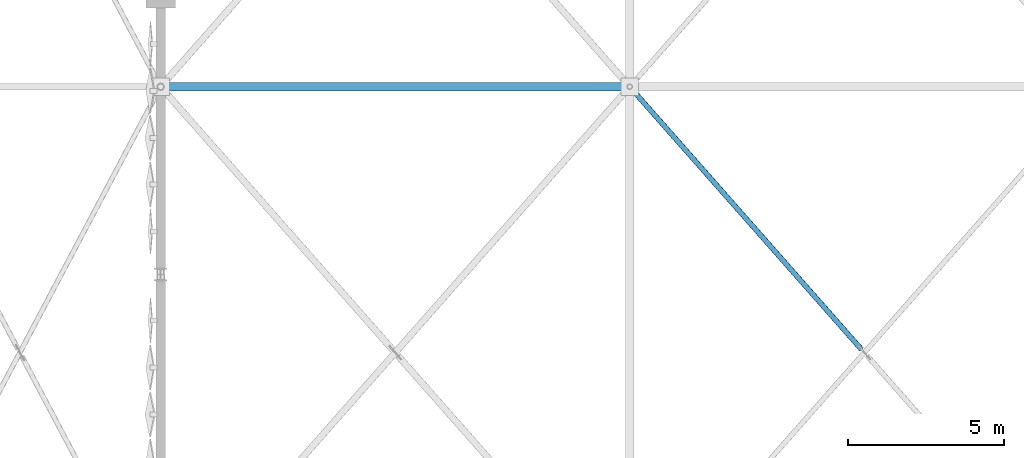
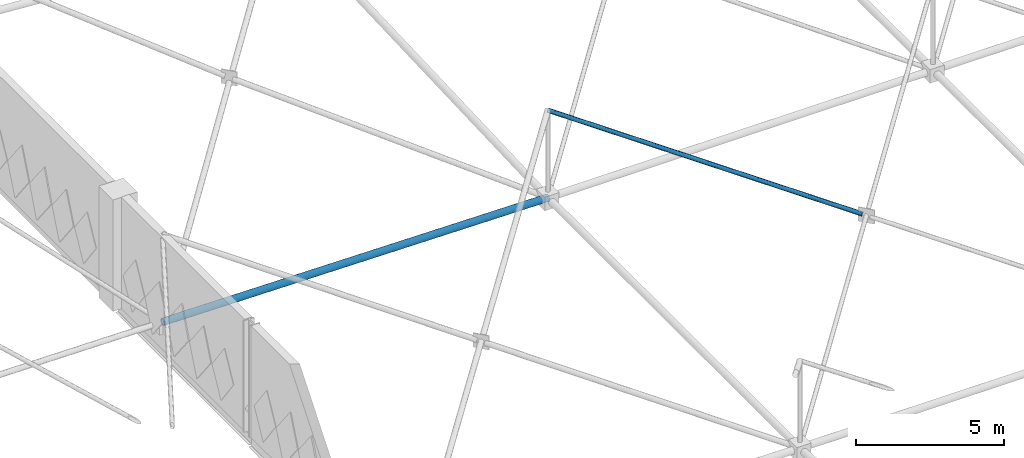
# One storey, part 69 of 224: 2 members.
"""IFC4 building model written with IfcOpenShell, lengths in metres."""

from ifc_helpers import new_model, si_unit, direction, frame, origin, origin_2d, place, context, subcontext, project, spatial, hollow_circle, extrude, material, material_profile, profile_set, type_object, element, save


model = new_model("IFC4")

# Units and contexts
model_context = context("Model", 3, precision=1e-05, world=origin(), true_north=direction((0.0, 1.0)))
body_context = subcontext(model_context, "Body", "Model", "MODEL_VIEW")
ifc_project = project(units=[si_unit("LENGTHUNIT", "METRE"), si_unit("AREAUNIT", "SQUARE_METRE"), si_unit("VOLUMEUNIT", "CUBIC_METRE"), si_unit("PLANEANGLEUNIT", "RADIAN"), si_unit("MASSUNIT", "GRAM", prefix="KILO")], contexts=[model_context])

# Site, building, storey
site_placement = place(None, origin())
site = spatial("IfcSite", under=ifc_project, at=site_placement, CompositionType="ELEMENT")
building_placement = place(site_placement, origin())
building = spatial("IfcBuilding", under=site, at=building_placement, Name="Qamarlyn Nura Convention Centre", CompositionType="ELEMENT")
storey_placement = place(building_placement, frame((0.0, 0.0, 10.800048828125)))
storey = spatial("IfcBuildingStorey", under=building, at=storey_placement, Name="L02", CompositionType="ELEMENT", Elevation=10.800048828125)

# Members
ifc_material = material(Name="Pearl-white PVDF steel ASTM A500 Grade C", Category="steel")
ifc_material_profile_1 = material_profile(ifc_material, hollow_circle(Radius=0.136474609375, WallThickness=0.012451171875, at=origin_2d()), Name="CHS273X12.5")
ifc_profile_set_1 = profile_set([ifc_material_profile_1], Name="Pearl-white PVDF steel ASTM A500 Grade C")
member_type_1 = type_object("IfcMemberType", Name="SF-BC-MAIN", PredefinedType="CHORD", material=ifc_profile_set_1)
member_1_placement = place(storey_placement, frame((0.0, 69.0, 0.937255859375), z_axis=(0.999958908574, 0.0, -0.009065382684), x_axis=(0.0, 1.0, 0.0)))
element("IfcMember", 1, at=member_1_placement, inside=storey, type_object=member_type_1, Name="ROOF TRUSS space frame bottom chord X2-5", PredefinedType="CHORD", context=body_context, shape_type="SweptSolid", body=[
    extrude(hollow_circle(Radius=0.136474609375, WallThickness=0.012451171875, at=origin_2d()), origin(), (0.0, 0.0, 1.0), 15.000732421875),
])
ifc_material_profile_2 = material_profile(ifc_material, hollow_circle(Radius=0.084228515625, WallThickness=0.008056640625, at=origin_2d()), Name="CHS168.3X8")
ifc_profile_set_2 = profile_set([ifc_material_profile_2], Name="Pearl-white PVDF steel ASTM A500 Grade C")
member_type_2 = type_object("IfcMemberType", Name="SF-WEB-STD", PredefinedType="BRACE", material=ifc_profile_set_2)
member_2_placement = place(storey_placement, frame((22.408447265625, 60.603759765625, 2.62255859375), z_axis=(-0.653427998885, 0.74055173207, 0.156891626294), x_axis=(-0.749837855365, -0.661621637087, 0.0)))
element("IfcMember", 2, at=member_2_placement, inside=storey, type_object=member_type_2, Name="ROOF TRUSS space frame split diagonal B2 3-4", PredefinedType="BRACE", context=body_context, shape_type="SweptSolid", body=[
    extrude(hollow_circle(Radius=0.084228515625, WallThickness=0.008056640625, at=origin_2d()), origin(), (0.0, 0.0, 1.0), 11.337890625),
])

save(model, "model.ifc")
